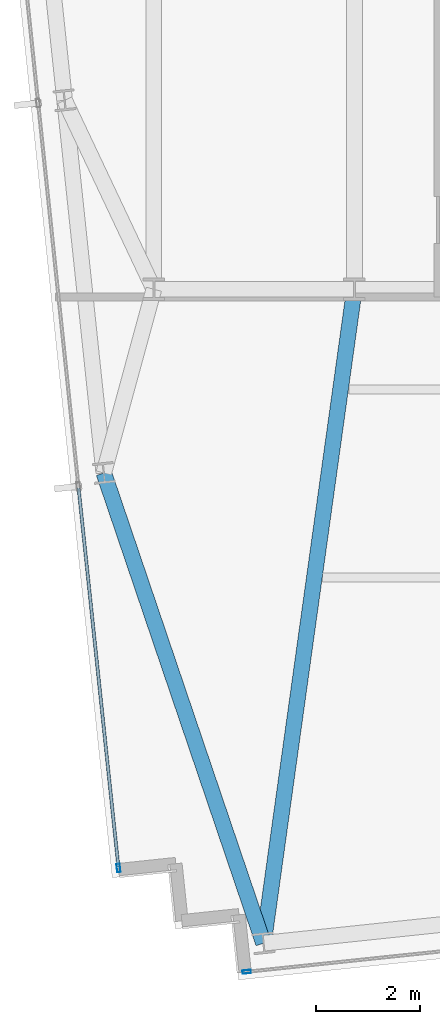
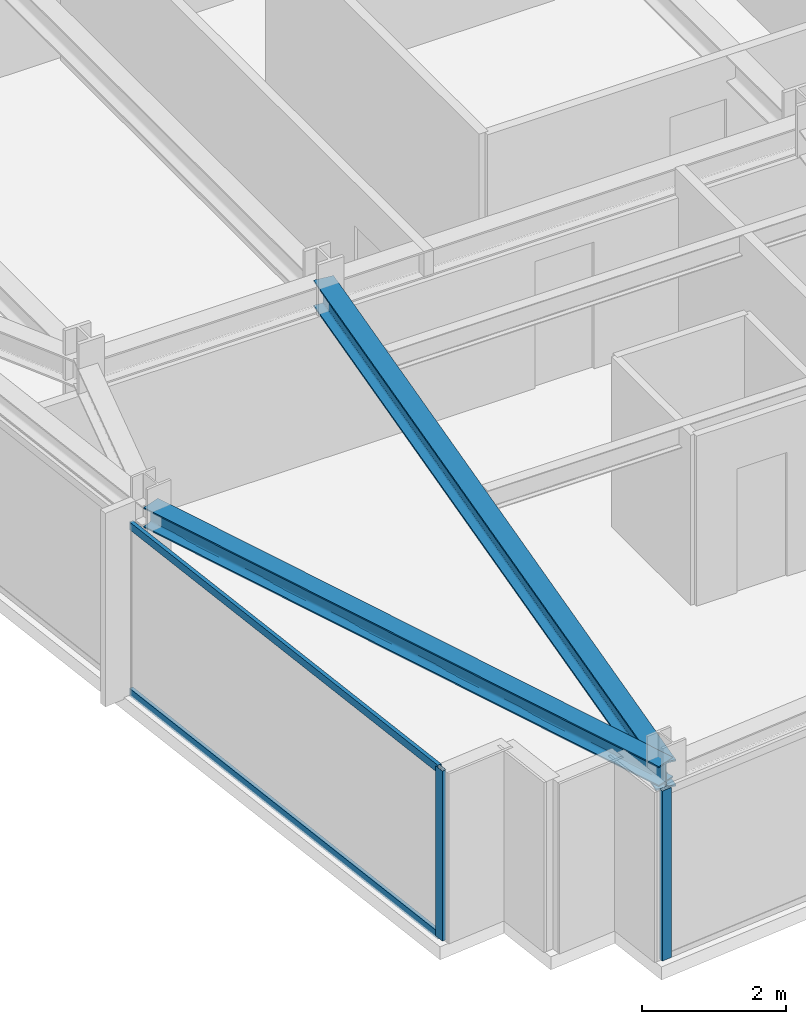
# One storey, part 2 of 33: 4 members, 2 beams, 2 elements without a shape of their own.
"""IFC4 building model written with IfcOpenShell, lengths in metres."""

from ifc_helpers import new_model, si_unit, direction, frame, origin, origin_2d, place, context, subcontext, project, spatial, hollow_rectangle, i_section, extrude, material, material_profile, profile_set, type_object, element, aggregate, save


model = new_model("IFC4")

# Units and contexts
model_context = context("Model", 3, precision=1e-05, world=origin(), true_north=direction((0.0, 1.0)))
body_context = subcontext(model_context, "Body", "Model", "MODEL_VIEW")
ifc_project = project(units=[si_unit("LENGTHUNIT", "METRE"), si_unit("AREAUNIT", "SQUARE_METRE"), si_unit("VOLUMEUNIT", "CUBIC_METRE"), si_unit("PLANEANGLEUNIT", "RADIAN"), si_unit("MASSUNIT", "GRAM", prefix="KILO")], contexts=[model_context])

# Site, building, storey
site_placement = place(None, origin())
site = spatial("IfcSite", under=ifc_project, at=site_placement, CompositionType="ELEMENT")
building_placement = place(site_placement, origin())
building = spatial("IfcBuilding", under=site, at=building_placement, Name="Yelkora Congress Tower", CompositionType="ELEMENT")
storey_placement = place(building_placement, frame((0.0, 0.0, 244.10009765625)))
storey = spatial("IfcBuildingStorey", under=building, at=storey_placement, Name="L68", CompositionType="ELEMENT", Elevation=244.10009765625)

# Beams
ifc_material_1 = material(Name="Steel S355J2", Category="steel")
ifc_material_profile_1 = material_profile(ifc_material_1, i_section(OverallWidth=0.300048828125, OverallDepth=0.449951171875, WebThickness=0.013916015625, FlangeThickness=0.02587890625, FilletRadius=0.027099609375, at=origin_2d()), Name="HEB 450")
ifc_profile_set_1 = profile_set([ifc_material_profile_1], Name="Steel S355J2")
beam_type_1 = type_object("IfcBeamType", Name="BM-GIRD-HEB450", PredefinedType="BEAM", material=ifc_profile_set_1)
beam_1_placement = place(storey_placement, frame((21.299072265625, 12.678466796875, 2.65478515625), z_axis=(0.137713626184, 0.990472088028, 0.0), x_axis=(-0.990472088028, 0.137713626184, 0.0)))
element("IfcBeam", 1, at=beam_1_placement, inside=storey, type_object=beam_type_1, Name="L68 Primary Frame Girder S01", PredefinedType="BEAM", context=body_context, shape_type="SweptSolid", body=[
    extrude(i_section(OverallWidth=0.300048828125, OverallDepth=0.449951171875, WebThickness=0.013916015625, FlangeThickness=0.02587890625, FilletRadius=0.027099609375, at=origin_2d()), origin(), (0.0, 0.0, 1.0), 12.641845703125),
])
ifc_material_profile_2 = material_profile(ifc_material_1, i_section(OverallWidth=0.300048828125, OverallDepth=0.340087890625, WebThickness=0.011962890625, FlangeThickness=0.021484375, FilletRadius=0.027099609375, at=origin_2d()), Name="HEB 340")
ifc_profile_set_2 = profile_set([ifc_material_profile_2], Name="Steel S355J2")
beam_type_2 = type_object("IfcBeamType", Name="BM-SPAN-HEB340", PredefinedType="SPANDREL", material=ifc_profile_set_2)
beam_2_placement = place(storey_placement, frame((18.2412109375, 21.68310546875, 2.7099609375), z_axis=(0.321552459514, -0.94689176561, 0.0), x_axis=(0.94689176561, 0.321552459514, 0.0)))
element("IfcBeam", 2, at=beam_2_placement, inside=storey, type_object=beam_type_2, Name="L68 Perimeter Beam 2", PredefinedType="SPANDREL", context=body_context, shape_type="SweptSolid", body=[
    extrude(i_section(OverallWidth=0.300048828125, OverallDepth=0.340087890625, WebThickness=0.011962890625, FlangeThickness=0.021484375, FilletRadius=0.027099609375, at=origin_2d()), origin(), (0.0, 0.0, 1.0), 9.509765625),
])

# Curtain wall, member
ifc_material_2 = material(Name="Anodised aluminium and insulated glass", Category="aluminium")
curtain_wall_type = type_object("IfcCurtainWallType", Name="CW-SYS-B4", PredefinedType="NOTDEFINED", material=ifc_material_2)
curtain_wall_1_placement = place(storey_placement, origin())
curtain_wall_1 = element("IfcCurtainWall", 3, at=curtain_wall_1_placement, inside=storey, type_object=curtain_wall_type, Name="L68 Unitised Curtain Wall 5", PredefinedType="NOTDEFINED")
ifc_material_3 = material(Name="Anodised aluminium 6063-T6", Category="aluminium")
ifc_material_profile_3 = material_profile(ifc_material_3, hollow_rectangle(XDim=0.06494140625, YDim=0.159912109375, WallThickness=0.00390625, at=origin_2d()), Name="ALU 65x160x4")
ifc_profile_set_3 = profile_set([ifc_material_profile_3], Name="Anodised aluminium 6063-T6")
member_type_1 = type_object("IfcMemberType", Name="MEM-ML-B4", PredefinedType="MULLION", material=ifc_profile_set_3)
member_1_placement = place(storey_placement, frame((18.523193359375, 14.118896484375, 0.0), z_axis=(0.0, 0.0, 1.0), x_axis=(-0.994522145958, -0.104526079034, 0.0)))
member_1 = element("IfcMember", 4, at=member_1_placement, type_object=member_type_1, Name="CW-B4 mullion 1", PredefinedType="MULLION", context=body_context, shape_type="SweptSolid", body=[
    extrude(hollow_rectangle(XDim=0.06494140625, YDim=0.159912109375, WallThickness=0.00390625, at=origin_2d()), origin(), (0.0, 0.0, 1.0), 2.8798828125),
])

curtain_wall_2_placement = place(storey_placement, origin())
curtain_wall_2 = element("IfcCurtainWall", 5, at=curtain_wall_2_placement, inside=storey, type_object=curtain_wall_type, Name="L68 Unitised Curtain Wall 20", PredefinedType="NOTDEFINED")
member_2_placement = place(storey_placement, frame((20.976806640625, 12.1318359375, 0.0), z_axis=(0.0, 0.0, 1.0), x_axis=(0.104526664994, -0.994522084373, 0.0)))
member_2 = element("IfcMember", 6, at=member_2_placement, type_object=member_type_1, Name="CW-B4 mullion 8", PredefinedType="MULLION", context=body_context, shape_type="SweptSolid", body=[
    extrude(hollow_rectangle(XDim=0.06494140625, YDim=0.159912109375, WallThickness=0.00390625, at=origin_2d()), origin(), (0.0, 0.0, 1.0), 2.8798828125),
])
aggregate(curtain_wall_2, [member_2])

# Member
ifc_material_profile_4 = material_profile(ifc_material_3, hollow_rectangle(XDim=0.06005859375, YDim=0.1298828125, WallThickness=0.00390625, at=origin_2d()), Name="ALU 60x130x4")
ifc_profile_set_4 = profile_set([ifc_material_profile_4], Name="Anodised aluminium 6063-T6")
member_type_2 = type_object("IfcMemberType", Name="MEM-TR-B4", PredefinedType="USERDEFINED", material=ifc_profile_set_4)
member_3_placement = place(storey_placement, frame((18.52001953125, 14.151123046875, 0.02978515625), z_axis=(-0.104527725728, 0.994521972886, 0.0), x_axis=(-0.994521972886, -0.104527725728, 0.0)))
member_3 = element("IfcMember", 7, at=member_3_placement, type_object=member_type_2, Name="CW-B4 transom 1.1", ObjectType="TRANSOM", PredefinedType="USERDEFINED", context=body_context, shape_type="SweptSolid", body=[
    extrude(hollow_rectangle(XDim=0.06005859375, YDim=0.1298828125, WallThickness=0.00390625, at=origin_2d()), origin(), (0.0, 0.0, 1.0), 7.282470703125),
])

member_4_placement = place(storey_placement, frame((18.52001953125, 14.151123046875, 2.849853515625), z_axis=(-0.104527725728, 0.994521972886, 0.0), x_axis=(-0.994521972886, -0.104527725728, 0.0)))
member_4 = element("IfcMember", 8, at=member_4_placement, type_object=member_type_2, Name="CW-B4 transom 1.2", ObjectType="TRANSOM", PredefinedType="USERDEFINED", context=body_context, shape_type="SweptSolid", body=[
    extrude(hollow_rectangle(XDim=0.06005859375, YDim=0.1298828125, WallThickness=0.00390625, at=origin_2d()), origin(), (0.0, 0.0, 1.0), 7.282470703125),
])

aggregate(curtain_wall_1, [member_1, member_3, member_4])

save(model, "model.ifc")
